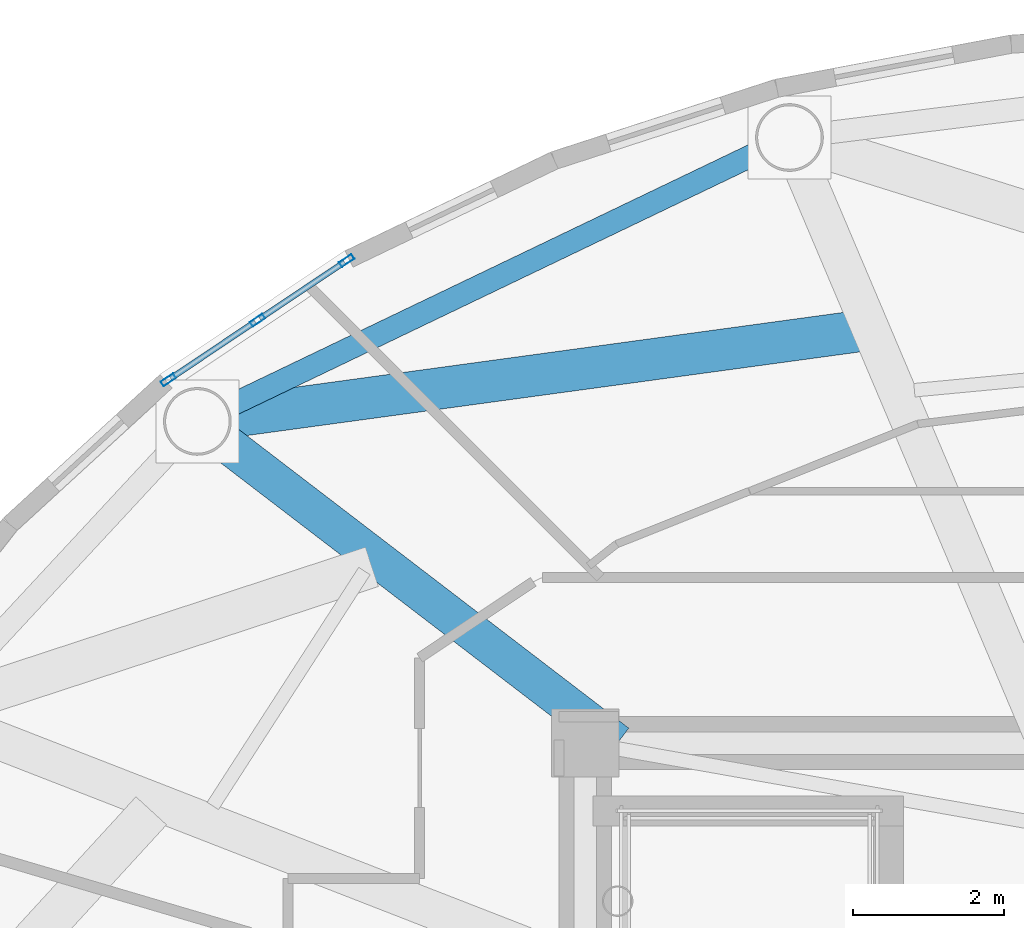
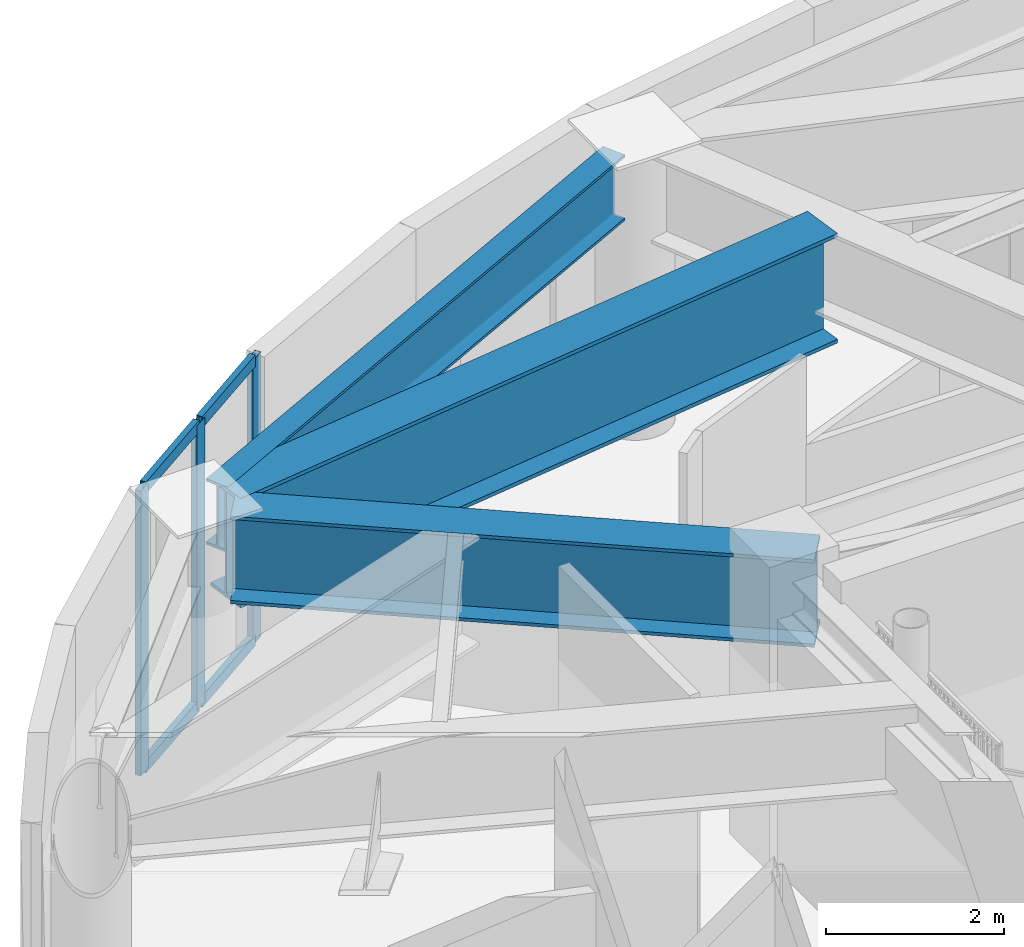
# One storey, part 8 of 23: 7 members, 3 beams, 1 element without a shape of its own.
"""IFC4 building model written with IfcOpenShell, lengths in metres."""

from ifc_helpers import new_model, si_unit, direction, frame, origin, origin_2d, place, context, subcontext, project, spatial, hollow_rectangle, i_section, extrude, source, transform, mapped, material, layer, layer_set, material_profile, profile_set, type_object, element, aggregate, save


model = new_model("IFC4")

# Units and contexts
model_context = context("Model", 3, precision=1e-05, world=origin(), true_north=direction((0.0, 1.0)))
body_context = subcontext(model_context, "Body", "Model", "MODEL_VIEW")
ifc_project = project(units=[si_unit("LENGTHUNIT", "METRE"), si_unit("AREAUNIT", "SQUARE_METRE"), si_unit("VOLUMEUNIT", "CUBIC_METRE"), si_unit("PLANEANGLEUNIT", "RADIAN"), si_unit("MASSUNIT", "GRAM", prefix="KILO")], contexts=[model_context])

# Site, building, storey
site_placement = place(None, origin())
site = spatial("IfcSite", under=ifc_project, at=site_placement, CompositionType="ELEMENT")
building_placement = place(site_placement, origin())
building = spatial("IfcBuilding", under=site, at=building_placement, Name="Linh Dai School and Residence Tower", CompositionType="ELEMENT")
storey_placement = place(building_placement, frame((0.0, 0.0, 359.39990234375)))
storey = spatial("IfcBuildingStorey", under=building, at=storey_placement, Name="L89", CompositionType="ELEMENT", Elevation=359.39990234375)

# Beams
ifc_material_1 = material(Name="Structural Steel S355JR", Category="steel")
ifc_material_profile_1 = material_profile(ifc_material_1, i_section(OverallWidth=0.300048828125, OverallDepth=0.89990234375, WebThickness=0.0185546875, FlangeThickness=0.034912109375, FilletRadius=0.030029296875, at=origin_2d()), Name="HEB 900")
ifc_profile_set_1 = profile_set([ifc_material_profile_1], Name="Structural Steel S355JR")
beam_type_1 = type_object("IfcBeamType", Name="BM-RG9", PredefinedType="BEAM", material=ifc_profile_set_1)
beam_1_placement = place(storey_placement, frame((29.483642578125, 41.312255859375, 3.4501953125), z_axis=(-0.901701330417, -0.432359469335, 0.0), x_axis=(0.432359469335, -0.901701330417, 0.0)))
element("IfcBeam", 1, at=beam_1_placement, inside=storey, type_object=beam_type_1, Name="L89 Perimeter Elliptical Ring Beam 06", PredefinedType="BEAM", context=body_context, shape_type="SweptSolid", body=[
    extrude(i_section(OverallWidth=0.300048828125, OverallDepth=0.89990234375, WebThickness=0.0185546875, FlangeThickness=0.034912109375, FilletRadius=0.030029296875, at=origin_2d()), origin(), (0.0, 0.0, 1.0), 7.88232421875),
])
ifc_material_profile_2 = material_profile(ifc_material_1, i_section(OverallWidth=0.5, OverallDepth=1.199951171875, WebThickness=0.02392578125, FlangeThickness=0.044921875, at=origin_2d()), Name="PG 1200x500x24x45")
ifc_profile_set_2 = profile_set([ifc_material_profile_2], Name="Structural Steel S355JR")
beam_type_2 = type_object("IfcBeamType", Name="BM-TG12", PredefinedType="BEAM", material=ifc_profile_set_2)
beam_2_placement = place(storey_placement, frame((27.5771484375, 33.449951171875, 3.300048828125), z_axis=(-0.793929753809, 0.608009495006, 0.0), x_axis=(-0.608009495006, -0.793929753809, 0.0)))
element("IfcBeam", 2, at=beam_2_placement, inside=storey, type_object=beam_type_2, Name="L89 Radial Setback Transfer Girder 07", PredefinedType="BEAM", context=body_context, shape_type="SweptSolid", body=[
    extrude(i_section(OverallWidth=0.5, OverallDepth=1.199951171875, WebThickness=0.02392578125, FlangeThickness=0.044921875, at=origin_2d()), origin(), (0.0, 0.0, 1.0), 6.607666015625),
])
ifc_material_profile_3 = material_profile(ifc_material_1, i_section(OverallWidth=0.550048828125, OverallDepth=1.5, WebThickness=0.028076171875, FlangeThickness=0.050048828125, at=origin_2d()), Name="PG 1500x550x28x50")
ifc_profile_set_3 = profile_set([ifc_material_profile_3], Name="Structural Steel S355JR")
beam_type_3 = type_object("IfcBeamType", Name="BM-TG15", PredefinedType="BEAM", material=ifc_profile_set_3)
beam_3_placement = place(storey_placement, frame((30.807861328125, 38.92431640625, 3.150146484375), z_axis=(-0.990828063551, -0.135128636786, 0.0), x_axis=(0.135128636786, -0.990828063551, 0.0)))
element("IfcBeam", 3, at=beam_3_placement, inside=storey, type_object=beam_type_3, Name="L89 Setback Diaphragm Transfer Girder 06", PredefinedType="BEAM", context=body_context, shape_type="SweptSolid", body=[
    extrude(i_section(OverallWidth=0.550048828125, OverallDepth=1.5, WebThickness=0.028076171875, FlangeThickness=0.050048828125, at=origin_2d()), origin(), (0.0, 0.0, 1.0), 8.4716796875),
])

# Curtain wall, members
ifc_material_2 = material(Name="Aluminium Anodised Curtain Wall", Category="aluminium")
ifc_layer = layer(ifc_material_2, 0.199951171875)
ifc_layer_set = layer_set([ifc_layer], Name="Aluminium Anodised Curtain Wall")
curtain_wall_type = type_object("IfcCurtainWallType", Name="CW-SYS-6", PredefinedType="USERDEFINED", material=ifc_layer_set)
curtain_wall_placement = place(storey_placement, origin())
curtain_wall = element("IfcCurtainWall", 4, at=curtain_wall_placement, inside=storey, type_object=curtain_wall_type, Name="L89 CW6 Curtain Wall 15", ObjectType="UNITISED CURTAIN WALL", PredefinedType="USERDEFINED")
ifc_material_3 = material(Name="Aluminium Alloy 6063-T6", Category="aluminium")
ifc_material_profile_4 = material_profile(ifc_material_3, hollow_rectangle(XDim=0.074951171875, YDim=0.159912109375, WallThickness=0.00390625, at=origin_2d()), Name="RHS 160x75x4")
ifc_profile_set_4 = profile_set([ifc_material_profile_4], Name="Aluminium Alloy 6063-T6")
member_type_1 = type_object("IfcMemberType", Name="CW-SYS-6-TRN", PredefinedType="USERDEFINED", material=ifc_profile_set_4)
shared_shape_1 = source(origin(), body_context, "Body", "SweptSolid", [
    extrude(hollow_rectangle(XDim=0.074951171875, YDim=0.159912109375, WallThickness=0.00390625, at=origin_2d()), origin(), (0.0, 0.0, 1.0), 1.349609375),
])
member_1_placement = place(storey_placement, frame((21.643798828125, 38.2958984375, 0.03759765625), z_axis=(0.831158719791, 0.556035234959, 0.0), x_axis=(-0.556035234959, 0.831158719791, 0.0)))
member_1 = element("IfcMember", 5, at=member_1_placement, type_object=member_type_1, Name="CW6 transom 1.1", ObjectType="TRANSOM", PredefinedType="USERDEFINED", context=body_context, shape_type="MappedRepresentation", body=[
    mapped(shared_shape_1, transform((0.0, 0.0, 0.0), x_axis=(1.0, 0.0, 0.0), y_axis=(0.0, 1.0, 0.0), z_axis=(0.0, 0.0, 1.0), scale=1.0)),
])
member_2_placement = place(storey_placement, frame((21.643798828125, 38.2958984375, 3.862548828125), z_axis=(0.831158719791, 0.556035234959, 0.0), x_axis=(-0.556035234959, 0.831158719791, 0.0)))
member_2 = element("IfcMember", 6, at=member_2_placement, type_object=member_type_1, Name="CW6 transom 1.2", ObjectType="TRANSOM", PredefinedType="USERDEFINED", context=body_context, shape_type="MappedRepresentation", body=[
    mapped(shared_shape_1, transform((0.0, 0.0, 0.0), x_axis=(1.0, 0.0, 0.0), y_axis=(0.0, 1.0, 0.0), z_axis=(0.0, 0.0, 1.0), scale=1.0)),
])
shared_shape_2 = source(origin(), body_context, "Body", "SweptSolid", [
    extrude(hollow_rectangle(XDim=0.074951171875, YDim=0.159912109375, WallThickness=0.00390625, at=origin_2d()), origin(), (0.0, 0.0, 1.0), 1.349853515625),
])
member_3_placement = place(storey_placement, frame((22.827880859375, 39.087890625, 0.03759765625), z_axis=(0.831214631805, 0.555951648862, 0.0), x_axis=(-0.555951648862, 0.831214631805, 0.0)))
member_3 = element("IfcMember", 7, at=member_3_placement, type_object=member_type_1, Name="CW6 transom 2.1", ObjectType="TRANSOM", PredefinedType="USERDEFINED", context=body_context, shape_type="MappedRepresentation", body=[
    mapped(shared_shape_2, transform((0.0, 0.0, 0.0), x_axis=(1.0, 0.0, 0.0), y_axis=(0.0, 1.0, 0.0), z_axis=(0.0, 0.0, 1.0), scale=1.0)),
])
member_4_placement = place(storey_placement, frame((22.827880859375, 39.087890625, 3.862548828125), z_axis=(0.831214631805, 0.555951648862, 0.0), x_axis=(-0.555951648862, 0.831214631805, 0.0)))
member_4 = element("IfcMember", 8, at=member_4_placement, type_object=member_type_1, Name="CW6 transom 2.2", ObjectType="TRANSOM", PredefinedType="USERDEFINED", context=body_context, shape_type="MappedRepresentation", body=[
    mapped(shared_shape_2, transform((0.0, 0.0, 0.0), x_axis=(1.0, 0.0, 0.0), y_axis=(0.0, 1.0, 0.0), z_axis=(0.0, 0.0, 1.0), scale=1.0)),
])
ifc_material_profile_5 = material_profile(ifc_material_3, hollow_rectangle(XDim=0.074951171875, YDim=0.199951171875, WallThickness=0.00390625, at=origin_2d()), Name="RHS 200x75x4")
ifc_profile_set_5 = profile_set([ifc_material_profile_5], Name="Aluminium Alloy 6063-T6")
member_type_2 = type_object("IfcMemberType", Name="CW-SYS-6-MUL", PredefinedType="MULLION", material=ifc_profile_set_5)
shared_shape_3 = source(origin(), body_context, "Body", "SweptSolid", [
    extrude(hollow_rectangle(XDim=0.074951171875, YDim=0.199951171875, WallThickness=0.00390625, at=origin_2d()), origin(), (0.0, 0.0, 1.0), 3.900146484375),
])
member_5_placement = place(storey_placement, frame((21.612548828125, 38.275146484375, 0.0), z_axis=(0.0, 0.0, 1.0), x_axis=(-0.555970777144, 0.831201837679, 0.0)))
member_5 = element("IfcMember", 9, at=member_5_placement, type_object=member_type_2, Name="CW6 mullion 1", PredefinedType="MULLION", context=body_context, shape_type="MappedRepresentation", body=[
    mapped(shared_shape_3, transform((0.0, 0.0, 0.0), x_axis=(1.0, 0.0, 0.0), y_axis=(0.0, 1.0, 0.0), z_axis=(0.0, 0.0, 1.0), scale=1.0)),
])
member_6_placement = place(storey_placement, frame((22.796875, 39.067138671875, 0.0), z_axis=(0.0, 0.0, 1.0), x_axis=(-0.555970777144, 0.831201837679, 0.0)))
member_6 = element("IfcMember", 10, at=member_6_placement, type_object=member_type_2, Name="CW6 mullion 2", PredefinedType="MULLION", context=body_context, shape_type="MappedRepresentation", body=[
    mapped(shared_shape_3, transform((0.0, 0.0, 0.0), x_axis=(1.0, 0.0, 0.0), y_axis=(0.0, 1.0, 0.0), z_axis=(0.0, 0.0, 1.0), scale=1.0)),
])
member_7_placement = place(storey_placement, frame((23.98095703125, 39.859375, 0.0), z_axis=(0.0, 0.0, 1.0), x_axis=(-0.555970777144, 0.831201837679, 0.0)))
member_7 = element("IfcMember", 11, at=member_7_placement, type_object=member_type_2, Name="CW6 mullion 3", PredefinedType="MULLION", context=body_context, shape_type="MappedRepresentation", body=[
    mapped(shared_shape_3, transform((0.0, 0.0, 0.0), x_axis=(1.0, 0.0, 0.0), y_axis=(0.0, 1.0, 0.0), z_axis=(0.0, 0.0, 1.0), scale=1.0)),
])
aggregate(curtain_wall, [member_5, member_6, member_7, member_1, member_2, member_3, member_4])

save(model, "model.ifc")
